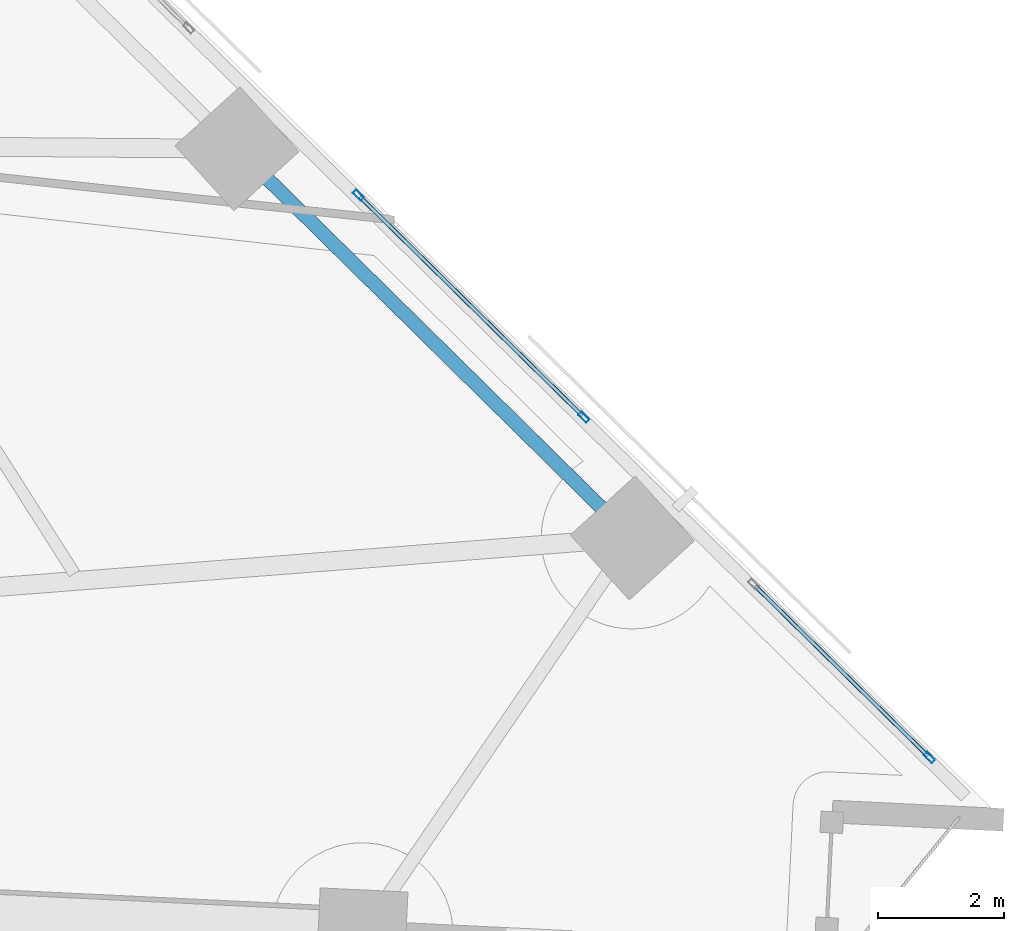
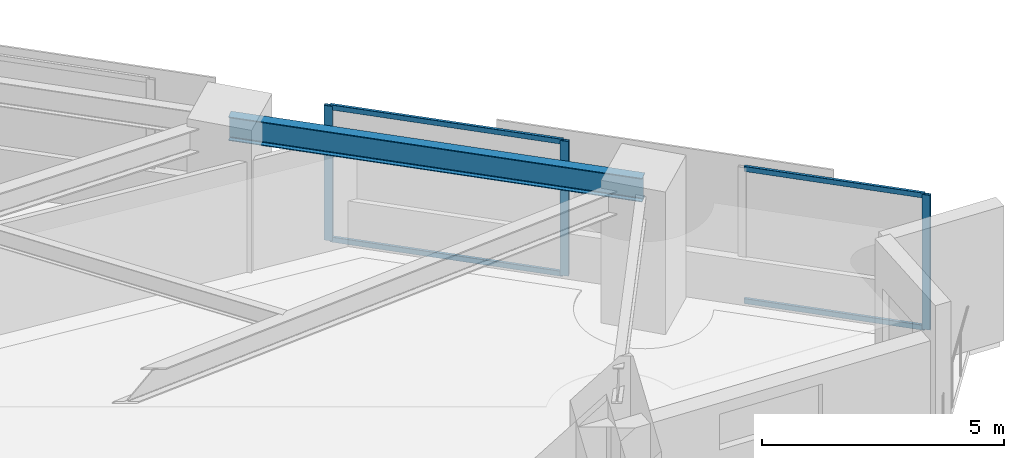
# One storey, part 5 of 17: 7 members, 1 beam, 2 elements without a shape of their own.
"""IFC4 building model written with IfcOpenShell, lengths in metres."""

from ifc_helpers import new_model, si_unit, direction, frame, origin, origin_2d, place, context, subcontext, project, spatial, hollow_rectangle, i_section, extrude, material, material_profile, profile_set, type_object, element, aggregate, save


model = new_model("IFC4")

# Units and contexts
model_context = context("Model", 3, precision=1e-05, world=origin(), true_north=direction((0.0, 1.0)))
body_context = subcontext(model_context, "Body", "Model", "MODEL_VIEW")
ifc_project = project(units=[si_unit("LENGTHUNIT", "METRE"), si_unit("AREAUNIT", "SQUARE_METRE"), si_unit("VOLUMEUNIT", "CUBIC_METRE"), si_unit("PLANEANGLEUNIT", "RADIAN"), si_unit("MASSUNIT", "GRAM", prefix="KILO")], contexts=[model_context])

# Site, building, storey
site_placement = place(None, origin())
site = spatial("IfcSite", under=ifc_project, at=site_placement, CompositionType="ELEMENT")
building_placement = place(site_placement, origin())
building = spatial("IfcBuilding", under=site, at=building_placement, Name="Narakoshi Arena Tower", CompositionType="ELEMENT")
storey_placement = place(building_placement, frame((0.0, 0.0, 48.300048828125)))
storey = spatial("IfcBuildingStorey", under=building, at=storey_placement, Name="L12", CompositionType="ELEMENT", Elevation=48.300048828125)

# Beam
ifc_material_1 = material(Name="Structural steel S355J2", Category="steel")
ifc_material_profile_1 = material_profile(ifc_material_1, i_section(OverallWidth=0.219970703125, OverallDepth=0.60009765625, WebThickness=0.011962890625, FlangeThickness=0.01904296875, FilletRadius=0.02392578125, at=origin_2d()), Name="IPE600")
ifc_profile_set_1 = profile_set([ifc_material_profile_1], Name="Structural steel S355J2")
beam_type = type_object("IfcBeamType", Name="BM-EDGE-600", PredefinedType="BEAM", material=ifc_profile_set_1)
beam_placement = place(storey_placement, frame((114.942138671875, 36.969970703125, 3.099853515625), z_axis=(-0.712540689328, 0.70163079041, 0.0), x_axis=(-0.70163079041, -0.712540689328, 0.0)))
element("IfcBeam", 1, at=beam_placement, inside=storey, type_object=beam_type, Name="L12 Perimeter Edge Girder 05", PredefinedType="BEAM", context=body_context, shape_type="SweptSolid", body=[
    extrude(i_section(OverallWidth=0.219970703125, OverallDepth=0.60009765625, WebThickness=0.011962890625, FlangeThickness=0.01904296875, FilletRadius=0.02392578125, at=origin_2d()), origin(), (0.0, 0.0, 1.0), 8.83935546875),
])

# Curtain wall, member
ifc_material_2 = material(Name="Anodised bronze aluminium 6063-T6", Category="aluminium")
curtain_wall_type = type_object("IfcCurtainWallType", Name="CW-HYP-LOW", PredefinedType="NOTDEFINED", material=ifc_material_2)
curtain_wall_1_placement = place(storey_placement, origin())
curtain_wall_1 = element("IfcCurtainWall", 2, at=curtain_wall_1_placement, inside=storey, type_object=curtain_wall_type, Name="L12 Folded Hypotenuse Curtain Wall 1-1", PredefinedType="NOTDEFINED")
ifc_material_profile_2 = material_profile(ifc_material_2, hollow_rectangle(XDim=0.074951171875, YDim=0.179931640625, WallThickness=0.00390625, OuterFilletRadius=0.0048828125, at=origin_2d()), Name="MUL180x75x4")
ifc_profile_set_2 = profile_set([ifc_material_profile_2], Name="Anodised bronze aluminium 6063-T6")
member_type_1 = type_object("IfcMemberType", Name="MEM-MUL-180", PredefinedType="MULLION", material=ifc_profile_set_2)
member_1_placement = place(storey_placement, frame((119.677734375, 33.471923828125, 0.0), z_axis=(0.0, 0.0, 1.0), x_axis=(-0.701630192894, -0.712541277695, 0.0)))
member_1 = element("IfcMember", 3, at=member_1_placement, type_object=member_type_1, Name="CW-01 mullion 1", PredefinedType="MULLION", context=body_context, shape_type="SweptSolid", body=[
    extrude(hollow_rectangle(XDim=0.074951171875, YDim=0.179931640625, WallThickness=0.00390625, OuterFilletRadius=0.0048828125, at=origin_2d()), origin(), (0.0, 0.0, 1.0), 3.39990234375),
])

# Curtain wall, members
curtain_wall_2_placement = place(storey_placement, origin())
curtain_wall_2 = element("IfcCurtainWall", 4, at=curtain_wall_2_placement, inside=storey, type_object=curtain_wall_type, Name="L12 Folded Hypotenuse Curtain Wall 1-2", PredefinedType="NOTDEFINED")
member_2_placement = place(storey_placement, frame((114.17138671875, 38.893798828125, 0.0), z_axis=(0.0, 0.0, 1.0), x_axis=(-0.701623031404, -0.712548329451, 0.0)))
member_2 = element("IfcMember", 5, at=member_2_placement, type_object=member_type_1, Name="CW-01 mullion 1", PredefinedType="MULLION", context=body_context, shape_type="SweptSolid", body=[
    extrude(hollow_rectangle(XDim=0.074951171875, YDim=0.179931640625, WallThickness=0.00390625, OuterFilletRadius=0.0048828125, at=origin_2d()), origin(), (0.0, 0.0, 1.0), 3.39990234375),
])
member_3_placement = place(storey_placement, frame((110.578857421875, 42.43115234375, 0.0), z_axis=(0.0, 0.0, 1.0), x_axis=(-0.701623031404, -0.712548329451, 0.0)))
member_3 = element("IfcMember", 6, at=member_3_placement, type_object=member_type_1, Name="CW-01 mullion 2", PredefinedType="MULLION", context=body_context, shape_type="SweptSolid", body=[
    extrude(hollow_rectangle(XDim=0.074951171875, YDim=0.179931640625, WallThickness=0.00390625, OuterFilletRadius=0.0048828125, at=origin_2d()), origin(), (0.0, 0.0, 1.0), 3.39990234375),
])

# Member
ifc_material_profile_3 = material_profile(ifc_material_2, hollow_rectangle(XDim=0.06494140625, YDim=0.1298828125, WallThickness=0.00390625, OuterFilletRadius=0.0048828125, at=origin_2d()), Name="TRN130x65x4")
ifc_profile_set_3 = profile_set([ifc_material_profile_3], Name="Anodised bronze aluminium 6063-T6")
member_type_2 = type_object("IfcMemberType", Name="MEM-TRN-130", PredefinedType="USERDEFINED", material=ifc_profile_set_3)
member_4_placement = place(storey_placement, frame((119.65087890625, 33.498046875, 0.032470703125), z_axis=(-0.712532234505, 0.701639376596, 0.0), x_axis=(-0.701639376596, -0.712532234505, 0.0)))
member_4 = element("IfcMember", 7, at=member_4_placement, type_object=member_type_2, Name="CW-01 transom 1.1", ObjectType="TRANSOM", PredefinedType="USERDEFINED", context=body_context, shape_type="SweptSolid", body=[
    extrude(hollow_rectangle(XDim=0.06494140625, YDim=0.1298828125, WallThickness=0.00390625, OuterFilletRadius=0.0048828125, at=origin_2d()), origin(), (0.0, 0.0, 1.0), 3.85498046875),
])

member_5_placement = place(storey_placement, frame((119.65087890625, 33.498046875, 3.367431640625), z_axis=(-0.712532234505, 0.701639376596, 0.0), x_axis=(-0.701639376596, -0.712532234505, 0.0)))
member_5 = element("IfcMember", 8, at=member_5_placement, type_object=member_type_2, Name="CW-01 transom 1.2", ObjectType="TRANSOM", PredefinedType="USERDEFINED", context=body_context, shape_type="SweptSolid", body=[
    extrude(hollow_rectangle(XDim=0.06494140625, YDim=0.1298828125, WallThickness=0.00390625, OuterFilletRadius=0.0048828125, at=origin_2d()), origin(), (0.0, 0.0, 1.0), 3.85498046875),
])

aggregate(curtain_wall_1, [member_1, member_4, member_5])

member_6_placement = place(storey_placement, frame((114.14453125, 38.920166015625, 0.032470703125), z_axis=(-0.712542243067, 0.701629212508, 0.0), x_axis=(-0.701629212508, -0.712542243067, 0.0)))
member_6 = element("IfcMember", 9, at=member_6_placement, type_object=member_type_2, Name="CW-01 transom 1.1", ObjectType="TRANSOM", PredefinedType="USERDEFINED", context=body_context, shape_type="SweptSolid", body=[
    extrude(hollow_rectangle(XDim=0.06494140625, YDim=0.1298828125, WallThickness=0.00390625, OuterFilletRadius=0.0048828125, at=origin_2d()), origin(), (0.0, 0.0, 1.0), 4.966552734375),
])

member_7_placement = place(storey_placement, frame((114.14453125, 38.920166015625, 3.367431640625), z_axis=(-0.712542243067, 0.701629212508, 0.0), x_axis=(-0.701629212508, -0.712542243067, 0.0)))
member_7 = element("IfcMember", 10, at=member_7_placement, type_object=member_type_2, Name="CW-01 transom 1.2", ObjectType="TRANSOM", PredefinedType="USERDEFINED", context=body_context, shape_type="SweptSolid", body=[
    extrude(hollow_rectangle(XDim=0.06494140625, YDim=0.1298828125, WallThickness=0.00390625, OuterFilletRadius=0.0048828125, at=origin_2d()), origin(), (0.0, 0.0, 1.0), 4.966552734375),
])

aggregate(curtain_wall_2, [member_2, member_3, member_6, member_7])

save(model, "model.ifc")
